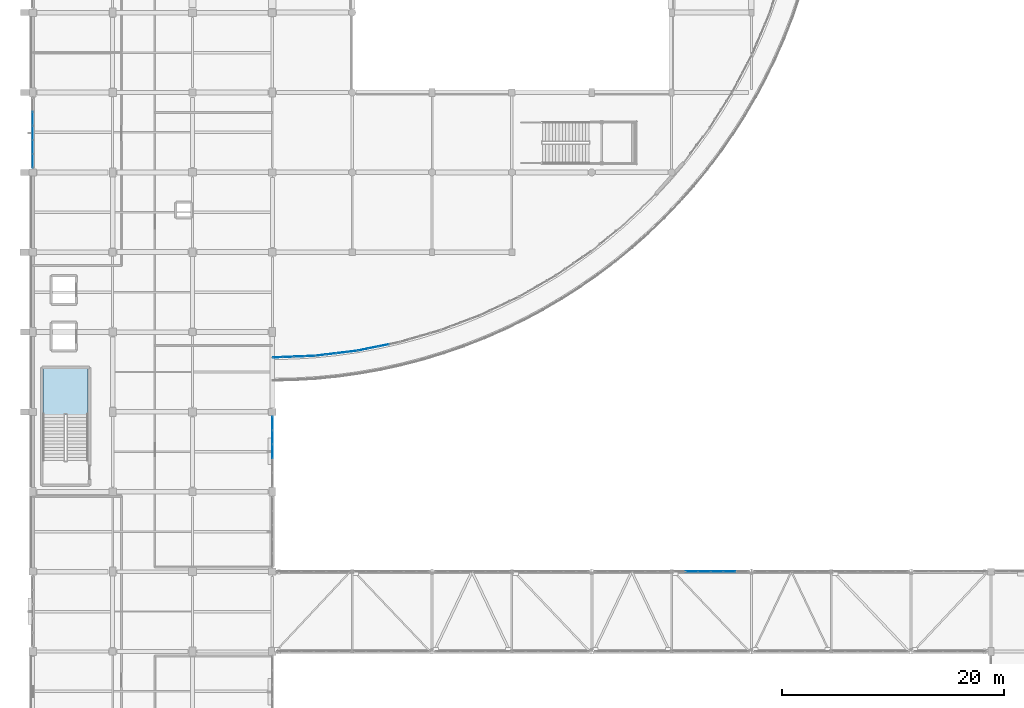
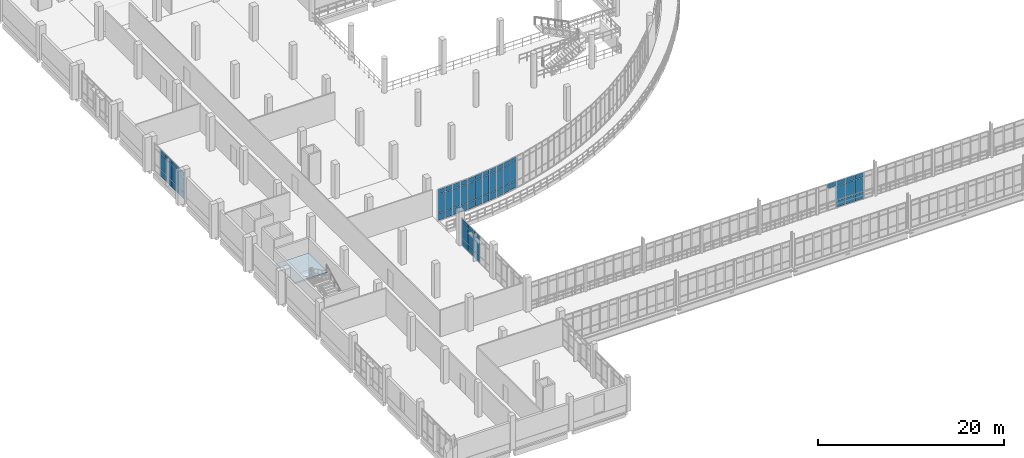
# One storey, part 91 of 124: 64 plates, 1 slab, 7 elements without a shape of their own.
"""IFC4 building model written with IfcOpenShell, lengths in metres."""

from ifc_helpers import new_model, si_unit, direction, frame, origin, origin_2d, place, context, subcontext, project, spatial, polyline, rectangle, outline, extrude, material, layer, layer_set, type_object, element, aggregate, save


model = new_model("IFC4")

# Units and contexts
model_context = context("Model", 3, precision=1e-05, world=origin(), true_north=direction((0.0, 1.0)))
body_context = subcontext(model_context, "Body", "Model", "MODEL_VIEW")
ifc_project = project(units=[si_unit("LENGTHUNIT", "METRE"), si_unit("AREAUNIT", "SQUARE_METRE"), si_unit("VOLUMEUNIT", "CUBIC_METRE"), si_unit("PLANEANGLEUNIT", "RADIAN"), si_unit("MASSUNIT", "GRAM", prefix="KILO")], contexts=[model_context])

# Site, building, storey
site_placement = place(None, origin())
site = spatial("IfcSite", under=ifc_project, at=site_placement, CompositionType="ELEMENT")
building_placement = place(site_placement, origin())
building = spatial("IfcBuilding", under=site, at=building_placement, Name="Kalluvel Institute of Natural Sciences", CompositionType="ELEMENT")
storey_placement = place(building_placement, frame((0.0, 0.0, 9.89990234375)))
storey = spatial("IfcBuildingStorey", under=building, at=storey_placement, Name="L02", CompositionType="ELEMENT", Elevation=9.89990234375)

# Curtain wall, plates
ifc_material_1 = material(Name="Aluminium AW-6063 T6", Category="aluminium")
curtain_wall_type_1 = type_object("IfcCurtainWallType", Name="CW-DRY-45", PredefinedType="USERDEFINED", material=ifc_material_1)
curtain_wall_1_placement = place(storey_placement, origin())
curtain_wall_1 = element("IfcCurtainWall", 1, at=curtain_wall_1_placement, inside=storey, type_object=curtain_wall_type_1, Name="L02 Gothic lancet curtain wall CWA-L02-X140-Y720", ObjectType="UNITISED LANCET FACADE", PredefinedType="USERDEFINED")
ifc_material_2 = material(Name="Solar-Control Low-E Laminated Glass", Category="glass")
ifc_layer_1 = layer(ifc_material_2, 0.028076171875)
ifc_layer_set_1 = layer_set([ifc_layer_1], Name="Solar-Control Low-E Laminated Glass")
plate_type_1 = type_object("IfcPlateType", Name="CWP-DGU-28", PredefinedType="CURTAIN_PANEL", material=ifc_layer_set_1)
plate_1_placement = place(storey_placement, frame((14.0, 72.62744140625, 0.06005859375), z_axis=(0.0, 0.0, 1.0), x_axis=(0.0, 1.0, 0.0)))
plate_1 = element("IfcPlate", 2, at=plate_1_placement, type_object=plate_type_1, Name="CW-03 panel 1.1", PredefinedType="CURTAIN_PANEL", context=body_context, shape_type="SweptSolid", body=[
    extrude(rectangle(XDim=1.18505859375, YDim=0.028076171875, at=origin_2d()), origin(), (0.0, 0.0, 1.0), 0.860107421875),
])
plate_2_placement = place(storey_placement, frame((14.0, 72.62744140625, 0.980224609375), z_axis=(0.0, 0.0, 1.0), x_axis=(0.0, 1.0, 0.0)))
plate_2 = element("IfcPlate", 3, at=plate_2_placement, type_object=plate_type_1, Name="CW-03 panel 1.2", PredefinedType="CURTAIN_PANEL", context=body_context, shape_type="SweptSolid", body=[
    extrude(rectangle(XDim=1.18505859375, YDim=0.028076171875, at=origin_2d()), origin(), (0.0, 0.0, 1.0), 1.9599609375),
])
plate_3_placement = place(storey_placement, frame((14.0, 72.62744140625, 3.0), z_axis=(0.0, 0.0, 1.0), x_axis=(0.0, 1.0, 0.0)))
plate_3 = element("IfcPlate", 4, at=plate_3_placement, type_object=plate_type_1, Name="CW-03 panel 1.3", PredefinedType="CURTAIN_PANEL", context=body_context, shape_type="SweptSolid", body=[
    extrude(rectangle(XDim=1.18505859375, YDim=0.028076171875, at=origin_2d()), origin(), (0.0, 0.0, 1.0), 0.56005859375),
])
plate_4_placement = place(storey_placement, frame((14.0, 73.887451171875, 0.06005859375), z_axis=(0.0, 0.0, 1.0), x_axis=(0.0, 1.0, 0.0)))
plate_4 = element("IfcPlate", 5, at=plate_4_placement, type_object=plate_type_1, Name="CW-03 panel 2.1", PredefinedType="CURTAIN_PANEL", context=body_context, shape_type="SweptSolid", body=[
    extrude(rectangle(XDim=1.215087890625, YDim=0.028076171875, at=origin_2d()), origin(), (0.0, 0.0, 1.0), 0.860107421875),
])
plate_5_placement = place(storey_placement, frame((14.0, 73.887451171875, 0.980224609375), z_axis=(0.0, 0.0, 1.0), x_axis=(0.0, 1.0, 0.0)))
plate_5 = element("IfcPlate", 6, at=plate_5_placement, type_object=plate_type_1, Name="CW-03 panel 2.2", PredefinedType="CURTAIN_PANEL", context=body_context, shape_type="SweptSolid", body=[
    extrude(rectangle(XDim=1.215087890625, YDim=0.028076171875, at=origin_2d()), origin(), (0.0, 0.0, 1.0), 1.9599609375),
])
plate_6_placement = place(storey_placement, frame((14.0, 73.887451171875, 3.0), z_axis=(0.0, 0.0, 1.0), x_axis=(0.0, 1.0, 0.0)))
plate_6 = element("IfcPlate", 7, at=plate_6_placement, type_object=plate_type_1, Name="CW-03 panel 2.3", PredefinedType="CURTAIN_PANEL", context=body_context, shape_type="SweptSolid", body=[
    extrude(rectangle(XDim=1.215087890625, YDim=0.028076171875, at=origin_2d()), origin(), (0.0, 0.0, 1.0), 0.56005859375),
])
plate_7_placement = place(storey_placement, frame((14.0, 75.16259765625, 0.06005859375), z_axis=(0.0, 0.0, 1.0), x_axis=(0.0, 1.0, 0.0)))
plate_7 = element("IfcPlate", 8, at=plate_7_placement, type_object=plate_type_1, Name="CW-03 panel 3.1", PredefinedType="CURTAIN_PANEL", context=body_context, shape_type="SweptSolid", body=[
    extrude(rectangle(XDim=1.215087890625, YDim=0.028076171875, at=origin_2d()), origin(), (0.0, 0.0, 1.0), 0.860107421875),
])
plate_8_placement = place(storey_placement, frame((14.0, 75.16259765625, 0.980224609375), z_axis=(0.0, 0.0, 1.0), x_axis=(0.0, 1.0, 0.0)))
plate_8 = element("IfcPlate", 9, at=plate_8_placement, type_object=plate_type_1, Name="CW-03 panel 3.2", PredefinedType="CURTAIN_PANEL", context=body_context, shape_type="SweptSolid", body=[
    extrude(rectangle(XDim=1.215087890625, YDim=0.028076171875, at=origin_2d()), origin(), (0.0, 0.0, 1.0), 1.9599609375),
])
plate_9_placement = place(storey_placement, frame((14.0, 75.16259765625, 3.0), z_axis=(0.0, 0.0, 1.0), x_axis=(0.0, 1.0, 0.0)))
plate_9 = element("IfcPlate", 10, at=plate_9_placement, type_object=plate_type_1, Name="CW-03 panel 3.3", PredefinedType="CURTAIN_PANEL", context=body_context, shape_type="SweptSolid", body=[
    extrude(rectangle(XDim=1.215087890625, YDim=0.028076171875, at=origin_2d()), origin(), (0.0, 0.0, 1.0), 0.56005859375),
])
plate_10_placement = place(storey_placement, frame((14.0, 76.4375, 0.06005859375), z_axis=(0.0, 0.0, 1.0), x_axis=(0.0, 1.0, 0.0)))
plate_10 = element("IfcPlate", 11, at=plate_10_placement, type_object=plate_type_1, Name="CW-03 panel 4.1", PredefinedType="CURTAIN_PANEL", context=body_context, shape_type="SweptSolid", body=[
    extrude(rectangle(XDim=1.215087890625, YDim=0.028076171875, at=origin_2d()), origin(), (0.0, 0.0, 1.0), 0.860107421875),
])
plate_11_placement = place(storey_placement, frame((14.0, 76.4375, 0.980224609375), z_axis=(0.0, 0.0, 1.0), x_axis=(0.0, 1.0, 0.0)))
plate_11 = element("IfcPlate", 12, at=plate_11_placement, type_object=plate_type_1, Name="CW-03 panel 4.2", PredefinedType="CURTAIN_PANEL", context=body_context, shape_type="SweptSolid", body=[
    extrude(rectangle(XDim=1.215087890625, YDim=0.028076171875, at=origin_2d()), origin(), (0.0, 0.0, 1.0), 1.9599609375),
])
plate_12_placement = place(storey_placement, frame((14.0, 76.4375, 3.0), z_axis=(0.0, 0.0, 1.0), x_axis=(0.0, 1.0, 0.0)))
plate_12 = element("IfcPlate", 13, at=plate_12_placement, type_object=plate_type_1, Name="CW-03 panel 4.3", PredefinedType="CURTAIN_PANEL", context=body_context, shape_type="SweptSolid", body=[
    extrude(rectangle(XDim=1.215087890625, YDim=0.028076171875, at=origin_2d()), origin(), (0.0, 0.0, 1.0), 0.56005859375),
])
aggregate(curtain_wall_1, [plate_1, plate_2, plate_3, plate_4, plate_5, plate_6, plate_7, plate_8, plate_9, plate_10, plate_11, plate_12])

curtain_wall_2_placement = place(storey_placement, origin())
curtain_wall_2 = element("IfcCurtainWall", 14, at=curtain_wall_2_placement, inside=storey, type_object=curtain_wall_type_1, Name="L02 Gothic lancet curtain wall CWA-L02-X356-Y432", ObjectType="UNITISED LANCET FACADE", PredefinedType="USERDEFINED")
plate_13_placement = place(storey_placement, frame((35.60009765625, 46.4375, 0.06005859375), z_axis=(0.0, 0.0, 1.0), x_axis=(0.0, 1.0, 0.0)))
plate_13 = element("IfcPlate", 15, at=plate_13_placement, type_object=plate_type_1, Name="CW-03 panel 3.1", PredefinedType="CURTAIN_PANEL", context=body_context, shape_type="SweptSolid", body=[
    extrude(rectangle(XDim=1.215087890625, YDim=0.028076171875, at=origin_2d()), origin(), (0.0, 0.0, 1.0), 0.860107421875),
])
plate_14_placement = place(storey_placement, frame((35.60009765625, 46.4375, 0.980224609375), z_axis=(0.0, 0.0, 1.0), x_axis=(0.0, 1.0, 0.0)))
plate_14 = element("IfcPlate", 16, at=plate_14_placement, type_object=plate_type_1, Name="CW-03 panel 3.2", PredefinedType="CURTAIN_PANEL", context=body_context, shape_type="SweptSolid", body=[
    extrude(rectangle(XDim=1.215087890625, YDim=0.028076171875, at=origin_2d()), origin(), (0.0, 0.0, 1.0), 1.9599609375),
])
plate_15_placement = place(storey_placement, frame((35.60009765625, 46.4375, 3.0), z_axis=(0.0, 0.0, 1.0), x_axis=(0.0, 1.0, 0.0)))
plate_15 = element("IfcPlate", 17, at=plate_15_placement, type_object=plate_type_1, Name="CW-03 panel 3.3", PredefinedType="CURTAIN_PANEL", context=body_context, shape_type="SweptSolid", body=[
    extrude(rectangle(XDim=1.215087890625, YDim=0.028076171875, at=origin_2d()), origin(), (0.0, 0.0, 1.0), 0.56005859375),
])
plate_16_placement = place(storey_placement, frame((35.60009765625, 47.71240234375, 0.06005859375), z_axis=(0.0, 0.0, 1.0), x_axis=(0.0, 1.0, 0.0)))
plate_16 = element("IfcPlate", 18, at=plate_16_placement, type_object=plate_type_1, Name="CW-03 panel 4.1", PredefinedType="CURTAIN_PANEL", context=body_context, shape_type="SweptSolid", body=[
    extrude(rectangle(XDim=1.215087890625, YDim=0.028076171875, at=origin_2d()), origin(), (0.0, 0.0, 1.0), 0.860107421875),
])
plate_17_placement = place(storey_placement, frame((35.60009765625, 47.71240234375, 0.980224609375), z_axis=(0.0, 0.0, 1.0), x_axis=(0.0, 1.0, 0.0)))
plate_17 = element("IfcPlate", 19, at=plate_17_placement, type_object=plate_type_1, Name="CW-03 panel 4.2", PredefinedType="CURTAIN_PANEL", context=body_context, shape_type="SweptSolid", body=[
    extrude(rectangle(XDim=1.215087890625, YDim=0.028076171875, at=origin_2d()), origin(), (0.0, 0.0, 1.0), 1.9599609375),
])
plate_18_placement = place(storey_placement, frame((35.60009765625, 47.71240234375, 3.0), z_axis=(0.0, 0.0, 1.0), x_axis=(0.0, 1.0, 0.0)))
plate_18 = element("IfcPlate", 20, at=plate_18_placement, type_object=plate_type_1, Name="CW-03 panel 4.3", PredefinedType="CURTAIN_PANEL", context=body_context, shape_type="SweptSolid", body=[
    extrude(rectangle(XDim=1.215087890625, YDim=0.028076171875, at=origin_2d()), origin(), (0.0, 0.0, 1.0), 0.56005859375),
])
plate_19_placement = place(storey_placement, frame((35.60009765625, 48.972412109375, 0.06005859375), z_axis=(0.0, 0.0, 1.0), x_axis=(0.0, 1.0, 0.0)))
plate_19 = element("IfcPlate", 21, at=plate_19_placement, type_object=plate_type_1, Name="CW-03 panel 5.1", PredefinedType="CURTAIN_PANEL", context=body_context, shape_type="SweptSolid", body=[
    extrude(rectangle(XDim=1.18505859375, YDim=0.028076171875, at=origin_2d()), origin(), (0.0, 0.0, 1.0), 0.860107421875),
])
plate_20_placement = place(storey_placement, frame((35.60009765625, 48.972412109375, 0.980224609375), z_axis=(0.0, 0.0, 1.0), x_axis=(0.0, 1.0, 0.0)))
plate_20 = element("IfcPlate", 22, at=plate_20_placement, type_object=plate_type_1, Name="CW-03 panel 5.2", PredefinedType="CURTAIN_PANEL", context=body_context, shape_type="SweptSolid", body=[
    extrude(rectangle(XDim=1.18505859375, YDim=0.028076171875, at=origin_2d()), origin(), (0.0, 0.0, 1.0), 1.9599609375),
])
plate_21_placement = place(storey_placement, frame((35.60009765625, 48.972412109375, 3.0), z_axis=(0.0, 0.0, 1.0), x_axis=(0.0, 1.0, 0.0)))
plate_21 = element("IfcPlate", 23, at=plate_21_placement, type_object=plate_type_1, Name="CW-03 panel 5.3", PredefinedType="CURTAIN_PANEL", context=body_context, shape_type="SweptSolid", body=[
    extrude(rectangle(XDim=1.18505859375, YDim=0.028076171875, at=origin_2d()), origin(), (0.0, 0.0, 1.0), 0.56005859375),
])
aggregate(curtain_wall_2, [plate_13, plate_14, plate_15, plate_16, plate_17, plate_18, plate_19, plate_20, plate_21])

curtain_wall_type_2 = type_object("IfcCurtainWallType", Name="CW-BRG-45", PredefinedType="USERDEFINED", material=ifc_material_1)
curtain_wall_3_placement = place(storey_placement, origin())
curtain_wall_3 = element("IfcCurtainWall", 24, at=curtain_wall_3_placement, inside=storey, type_object=curtain_wall_type_2, Name="L02 Gothic lancet curtain wall CWA-L02-X717-Y356", ObjectType="UNITISED LANCET FACADE", PredefinedType="USERDEFINED")
ifc_layer_2 = layer(ifc_material_2, 0.031982421875)
ifc_layer_set_2 = layer_set([ifc_layer_2], Name="Solar-Control Low-E Laminated Glass")
plate_type_2 = type_object("IfcPlateType", Name="CWP-DGU-32", PredefinedType="CURTAIN_PANEL", material=ifc_layer_set_2)
plate_22_placement = place(storey_placement, frame((73.413818359375, 35.60009765625, 2.920166015625), z_axis=(0.0, 0.0, 1.0), x_axis=(1.0, 0.0, 0.0)))
plate_22 = element("IfcPlate", 25, at=plate_22_placement, type_object=plate_type_2, Name="CW-07 panel 2.3", PredefinedType="CURTAIN_PANEL", context=body_context, shape_type="SweptSolid", body=[
    extrude(rectangle(XDim=1.075927734375, YDim=0.031982421875, at=origin_2d()), origin(), (0.0, 0.0, 1.0), 0.56005859375),
])
plate_23_placement = place(storey_placement, frame((74.549560546875, 35.60009765625, 0.06005859375), z_axis=(0.0, 0.0, 1.0), x_axis=(1.0, 0.0, 0.0)))
plate_23 = element("IfcPlate", 26, at=plate_23_placement, type_object=plate_type_2, Name="CW-07 panel 3.1", PredefinedType="CURTAIN_PANEL", context=body_context, shape_type="SweptSolid", body=[
    extrude(rectangle(XDim=1.075927734375, YDim=0.031982421875, at=origin_2d()), origin(), (0.0, 0.0, 1.0), 0.860107421875),
])
plate_24_placement = place(storey_placement, frame((74.549560546875, 35.60009765625, 0.980224609375), z_axis=(0.0, 0.0, 1.0), x_axis=(1.0, 0.0, 0.0)))
plate_24 = element("IfcPlate", 27, at=plate_24_placement, type_object=plate_type_2, Name="CW-07 panel 3.2", PredefinedType="CURTAIN_PANEL", context=body_context, shape_type="SweptSolid", body=[
    extrude(rectangle(XDim=1.075927734375, YDim=0.031982421875, at=origin_2d()), origin(), (0.0, 0.0, 1.0), 1.8798828125),
])
plate_25_placement = place(storey_placement, frame((74.549560546875, 35.60009765625, 2.920166015625), z_axis=(0.0, 0.0, 1.0), x_axis=(1.0, 0.0, 0.0)))
plate_25 = element("IfcPlate", 28, at=plate_25_placement, type_object=plate_type_2, Name="CW-07 panel 3.3", PredefinedType="CURTAIN_PANEL", context=body_context, shape_type="SweptSolid", body=[
    extrude(rectangle(XDim=1.075927734375, YDim=0.031982421875, at=origin_2d()), origin(), (0.0, 0.0, 1.0), 0.56005859375),
])
plate_26_placement = place(storey_placement, frame((75.685302734375, 35.60009765625, 0.06005859375), z_axis=(0.0, 0.0, 1.0), x_axis=(1.0, 0.0, 0.0)))
plate_26 = element("IfcPlate", 29, at=plate_26_placement, type_object=plate_type_2, Name="CW-07 panel 4.1", PredefinedType="CURTAIN_PANEL", context=body_context, shape_type="SweptSolid", body=[
    extrude(rectangle(XDim=1.075927734375, YDim=0.031982421875, at=origin_2d()), origin(), (0.0, 0.0, 1.0), 0.860107421875),
])
plate_27_placement = place(storey_placement, frame((75.685302734375, 35.60009765625, 0.980224609375), z_axis=(0.0, 0.0, 1.0), x_axis=(1.0, 0.0, 0.0)))
plate_27 = element("IfcPlate", 30, at=plate_27_placement, type_object=plate_type_2, Name="CW-07 panel 4.2", PredefinedType="CURTAIN_PANEL", context=body_context, shape_type="SweptSolid", body=[
    extrude(rectangle(XDim=1.075927734375, YDim=0.031982421875, at=origin_2d()), origin(), (0.0, 0.0, 1.0), 1.8798828125),
])
plate_28_placement = place(storey_placement, frame((75.685302734375, 35.60009765625, 2.920166015625), z_axis=(0.0, 0.0, 1.0), x_axis=(1.0, 0.0, 0.0)))
plate_28 = element("IfcPlate", 31, at=plate_28_placement, type_object=plate_type_2, Name="CW-07 panel 4.3", PredefinedType="CURTAIN_PANEL", context=body_context, shape_type="SweptSolid", body=[
    extrude(rectangle(XDim=1.075927734375, YDim=0.031982421875, at=origin_2d()), origin(), (0.0, 0.0, 1.0), 0.56005859375),
])
plate_29_placement = place(storey_placement, frame((76.8212890625, 35.60009765625, 0.06005859375), z_axis=(0.0, 0.0, 1.0), x_axis=(1.0, 0.0, 0.0)))
plate_29 = element("IfcPlate", 32, at=plate_29_placement, type_object=plate_type_2, Name="CW-07 panel 5.1", PredefinedType="CURTAIN_PANEL", context=body_context, shape_type="SweptSolid", body=[
    extrude(rectangle(XDim=1.075927734375, YDim=0.031982421875, at=origin_2d()), origin(), (0.0, 0.0, 1.0), 0.860107421875),
])
plate_30_placement = place(storey_placement, frame((76.8212890625, 35.60009765625, 0.980224609375), z_axis=(0.0, 0.0, 1.0), x_axis=(1.0, 0.0, 0.0)))
plate_30 = element("IfcPlate", 33, at=plate_30_placement, type_object=plate_type_2, Name="CW-07 panel 5.2", PredefinedType="CURTAIN_PANEL", context=body_context, shape_type="SweptSolid", body=[
    extrude(rectangle(XDim=1.075927734375, YDim=0.031982421875, at=origin_2d()), origin(), (0.0, 0.0, 1.0), 1.8798828125),
])
plate_31_placement = place(storey_placement, frame((76.8212890625, 35.60009765625, 2.920166015625), z_axis=(0.0, 0.0, 1.0), x_axis=(1.0, 0.0, 0.0)))
plate_31 = element("IfcPlate", 34, at=plate_31_placement, type_object=plate_type_2, Name="CW-07 panel 5.3", PredefinedType="CURTAIN_PANEL", context=body_context, shape_type="SweptSolid", body=[
    extrude(rectangle(XDim=1.075927734375, YDim=0.031982421875, at=origin_2d()), origin(), (0.0, 0.0, 1.0), 0.56005859375),
])
aggregate(curtain_wall_3, [plate_22, plate_23, plate_24, plate_25, plate_26, plate_27, plate_28, plate_29, plate_30, plate_31])

curtain_wall_type_3 = type_object("IfcCurtainWallType", Name="CW-ATR-ARC", PredefinedType="USERDEFINED", material=ifc_material_1)
curtain_wall_4_placement = place(storey_placement, origin())
curtain_wall_4 = element("IfcCurtainWall", 35, at=curtain_wall_4_placement, inside=storey, type_object=curtain_wall_type_3, Name="L02 Gothic lancet curtain wall CWA-L02-X356-Y549", ObjectType="UNITISED LANCET FACADE", PredefinedType="USERDEFINED")
ifc_layer_3 = layer(ifc_material_2, 0.035888671875)
ifc_layer_set_3 = layer_set([ifc_layer_3], Name="Solar-Control Low-E Laminated Glass")
plate_type_3 = type_object("IfcPlateType", Name="CWP-DGU-36", PredefinedType="CURTAIN_PANEL", material=ifc_layer_set_3)
plate_32_placement = place(storey_placement, frame((36.0966796875, 54.919921875, 0.06005859375), z_axis=(0.0, 0.0, 1.0), x_axis=(0.999189237839, 0.040259992374, 0.0)))
plate_32 = element("IfcPlate", 36, at=plate_32_placement, type_object=plate_type_3, Name="CW-05 panel 1.1", PredefinedType="CURTAIN_PANEL", context=body_context, shape_type="SweptSolid", body=[
    extrude(rectangle(XDim=0.874267578125, YDim=0.035888671875, at=origin_2d()), origin(), (0.0, 0.0, 1.0), 0.860107421875),
])
plate_33_placement = place(storey_placement, frame((36.0966796875, 54.919921875, 0.97998046875), z_axis=(0.0, 0.0, 1.0), x_axis=(0.999189237839, 0.040259992374, 0.0)))
plate_33 = element("IfcPlate", 37, at=plate_33_placement, type_object=plate_type_3, Name="CW-05 panel 1.2", PredefinedType="CURTAIN_PANEL", context=body_context, shape_type="SweptSolid", body=[
    extrude(rectangle(XDim=0.874267578125, YDim=0.035888671875, at=origin_2d()), origin(), (0.0, 0.0, 1.0), 2.489990234375),
])
plate_34_placement = place(storey_placement, frame((36.0966796875, 54.919921875, 3.530029296875), z_axis=(0.0, 0.0, 1.0), x_axis=(0.999189237839, 0.040259992374, 0.0)))
plate_34 = element("IfcPlate", 38, at=plate_34_placement, type_object=plate_type_3, Name="CW-05 panel 1.3", PredefinedType="CURTAIN_PANEL", context=body_context, shape_type="SweptSolid", body=[
    extrude(rectangle(XDim=0.874267578125, YDim=0.035888671875, at=origin_2d()), origin(), (0.0, 0.0, 1.0), 0.56005859375),
])
plate_35_placement = place(storey_placement, frame((37.04541015625, 54.958251953125, 0.06005859375), z_axis=(0.0, 0.0, 1.0), x_axis=(0.999189237839, 0.040259992374, 0.0)))
plate_35 = element("IfcPlate", 39, at=plate_35_placement, type_object=plate_type_3, Name="CW-05 panel 2.1", PredefinedType="CURTAIN_PANEL", context=body_context, shape_type="SweptSolid", body=[
    extrude(rectangle(XDim=0.904296875, YDim=0.035888671875, at=origin_2d()), origin(), (0.0, 0.0, 1.0), 0.860107421875),
])
plate_36_placement = place(storey_placement, frame((37.04541015625, 54.958251953125, 0.97998046875), z_axis=(0.0, 0.0, 1.0), x_axis=(0.999189237839, 0.040259992374, 0.0)))
plate_36 = element("IfcPlate", 40, at=plate_36_placement, type_object=plate_type_3, Name="CW-05 panel 2.2", PredefinedType="CURTAIN_PANEL", context=body_context, shape_type="SweptSolid", body=[
    extrude(rectangle(XDim=0.904296875, YDim=0.035888671875, at=origin_2d()), origin(), (0.0, 0.0, 1.0), 2.489990234375),
])
plate_37_placement = place(storey_placement, frame((37.04541015625, 54.958251953125, 3.530029296875), z_axis=(0.0, 0.0, 1.0), x_axis=(0.999189237839, 0.040259992374, 0.0)))
plate_37 = element("IfcPlate", 41, at=plate_37_placement, type_object=plate_type_3, Name="CW-05 panel 2.3", PredefinedType="CURTAIN_PANEL", context=body_context, shape_type="SweptSolid", body=[
    extrude(rectangle(XDim=0.904296875, YDim=0.035888671875, at=origin_2d()), origin(), (0.0, 0.0, 1.0), 0.56005859375),
])
plate_38_placement = place(storey_placement, frame((38.009033203125, 54.9970703125, 0.06005859375), z_axis=(0.0, 0.0, 1.0), x_axis=(0.999189237839, 0.040259992374, 0.0)))
plate_38 = element("IfcPlate", 42, at=plate_38_placement, type_object=plate_type_3, Name="CW-05 panel 3.1", PredefinedType="CURTAIN_PANEL", context=body_context, shape_type="SweptSolid", body=[
    extrude(rectangle(XDim=0.904296875, YDim=0.035888671875, at=origin_2d()), origin(), (0.0, 0.0, 1.0), 0.860107421875),
])
plate_39_placement = place(storey_placement, frame((38.009033203125, 54.9970703125, 0.97998046875), z_axis=(0.0, 0.0, 1.0), x_axis=(0.999189237839, 0.040259992374, 0.0)))
plate_39 = element("IfcPlate", 43, at=plate_39_placement, type_object=plate_type_3, Name="CW-05 panel 3.2", PredefinedType="CURTAIN_PANEL", context=body_context, shape_type="SweptSolid", body=[
    extrude(rectangle(XDim=0.904296875, YDim=0.035888671875, at=origin_2d()), origin(), (0.0, 0.0, 1.0), 2.489990234375),
])
plate_40_placement = place(storey_placement, frame((38.009033203125, 54.9970703125, 3.530029296875), z_axis=(0.0, 0.0, 1.0), x_axis=(0.999189237839, 0.040259992374, 0.0)))
plate_40 = element("IfcPlate", 44, at=plate_40_placement, type_object=plate_type_3, Name="CW-05 panel 3.3", PredefinedType="CURTAIN_PANEL", context=body_context, shape_type="SweptSolid", body=[
    extrude(rectangle(XDim=0.904296875, YDim=0.035888671875, at=origin_2d()), origin(), (0.0, 0.0, 1.0), 0.56005859375),
])
plate_41_placement = place(storey_placement, frame((38.95751953125, 55.035400390625, 0.06005859375), z_axis=(0.0, 0.0, 1.0), x_axis=(0.999189237839, 0.040259992374, 0.0)))
plate_41 = element("IfcPlate", 45, at=plate_41_placement, type_object=plate_type_3, Name="CW-05 panel 4.1", PredefinedType="CURTAIN_PANEL", context=body_context, shape_type="SweptSolid", body=[
    extrude(rectangle(XDim=0.874267578125, YDim=0.035888671875, at=origin_2d()), origin(), (0.0, 0.0, 1.0), 0.860107421875),
])
plate_42_placement = place(storey_placement, frame((38.95751953125, 55.035400390625, 0.97998046875), z_axis=(0.0, 0.0, 1.0), x_axis=(0.999189237839, 0.040259992374, 0.0)))
plate_42 = element("IfcPlate", 46, at=plate_42_placement, type_object=plate_type_3, Name="CW-05 panel 4.2", PredefinedType="CURTAIN_PANEL", context=body_context, shape_type="SweptSolid", body=[
    extrude(rectangle(XDim=0.874267578125, YDim=0.035888671875, at=origin_2d()), origin(), (0.0, 0.0, 1.0), 2.489990234375),
])
plate_43_placement = place(storey_placement, frame((38.95751953125, 55.035400390625, 3.530029296875), z_axis=(0.0, 0.0, 1.0), x_axis=(0.999189237839, 0.040259992374, 0.0)))
plate_43 = element("IfcPlate", 47, at=plate_43_placement, type_object=plate_type_3, Name="CW-05 panel 4.3", PredefinedType="CURTAIN_PANEL", context=body_context, shape_type="SweptSolid", body=[
    extrude(rectangle(XDim=0.874267578125, YDim=0.035888671875, at=origin_2d()), origin(), (0.0, 0.0, 1.0), 0.56005859375),
])
aggregate(curtain_wall_4, [plate_32, plate_33, plate_34, plate_35, plate_36, plate_37, plate_38, plate_39, plate_40, plate_41, plate_42, plate_43])

curtain_wall_5_placement = place(storey_placement, origin())
curtain_wall_5 = element("IfcCurtainWall", 48, at=curtain_wall_5_placement, inside=storey, type_object=curtain_wall_type_3, Name="L02 Gothic lancet curtain wall CWA-L02-X395-Y551", ObjectType="UNITISED LANCET FACADE", PredefinedType="USERDEFINED")
plate_44_placement = place(storey_placement, frame((39.94775390625, 55.115234375, 0.06005859375), z_axis=(0.0, 0.0, 1.0), x_axis=(0.992708047179, 0.120543490354, 0.0)))
plate_44 = element("IfcPlate", 49, at=plate_44_placement, type_object=plate_type_3, Name="CW-05 panel 1.1", PredefinedType="CURTAIN_PANEL", context=body_context, shape_type="SweptSolid", body=[
    extrude(rectangle(XDim=0.874267578125, YDim=0.035888671875, at=origin_2d()), origin(), (0.0, 0.0, 1.0), 0.860107421875),
])
plate_45_placement = place(storey_placement, frame((39.94775390625, 55.115234375, 0.97998046875), z_axis=(0.0, 0.0, 1.0), x_axis=(0.992708047179, 0.120543490354, 0.0)))
plate_45 = element("IfcPlate", 50, at=plate_45_placement, type_object=plate_type_3, Name="CW-05 panel 1.2", PredefinedType="CURTAIN_PANEL", context=body_context, shape_type="SweptSolid", body=[
    extrude(rectangle(XDim=0.874267578125, YDim=0.035888671875, at=origin_2d()), origin(), (0.0, 0.0, 1.0), 2.489990234375),
])
plate_46_placement = place(storey_placement, frame((39.94775390625, 55.115234375, 3.530029296875), z_axis=(0.0, 0.0, 1.0), x_axis=(0.992708047179, 0.120543490354, 0.0)))
plate_46 = element("IfcPlate", 51, at=plate_46_placement, type_object=plate_type_3, Name="CW-05 panel 1.3", PredefinedType="CURTAIN_PANEL", context=body_context, shape_type="SweptSolid", body=[
    extrude(rectangle(XDim=0.874267578125, YDim=0.035888671875, at=origin_2d()), origin(), (0.0, 0.0, 1.0), 0.56005859375),
])
plate_47_placement = place(storey_placement, frame((40.890380859375, 55.229736328125, 0.06005859375), z_axis=(0.0, 0.0, 1.0), x_axis=(0.992708047179, 0.120543490354, 0.0)))
plate_47 = element("IfcPlate", 52, at=plate_47_placement, type_object=plate_type_3, Name="CW-05 panel 2.1", PredefinedType="CURTAIN_PANEL", context=body_context, shape_type="SweptSolid", body=[
    extrude(rectangle(XDim=0.904296875, YDim=0.035888671875, at=origin_2d()), origin(), (0.0, 0.0, 1.0), 0.860107421875),
])
plate_48_placement = place(storey_placement, frame((40.890380859375, 55.229736328125, 0.97998046875), z_axis=(0.0, 0.0, 1.0), x_axis=(0.992708047179, 0.120543490354, 0.0)))
plate_48 = element("IfcPlate", 53, at=plate_48_placement, type_object=plate_type_3, Name="CW-05 panel 2.2", PredefinedType="CURTAIN_PANEL", context=body_context, shape_type="SweptSolid", body=[
    extrude(rectangle(XDim=0.904296875, YDim=0.035888671875, at=origin_2d()), origin(), (0.0, 0.0, 1.0), 2.489990234375),
])
plate_49_placement = place(storey_placement, frame((40.890380859375, 55.229736328125, 3.530029296875), z_axis=(0.0, 0.0, 1.0), x_axis=(0.992708047179, 0.120543490354, 0.0)))
plate_49 = element("IfcPlate", 54, at=plate_49_placement, type_object=plate_type_3, Name="CW-05 panel 2.3", PredefinedType="CURTAIN_PANEL", context=body_context, shape_type="SweptSolid", body=[
    extrude(rectangle(XDim=0.904296875, YDim=0.035888671875, at=origin_2d()), origin(), (0.0, 0.0, 1.0), 0.56005859375),
])
plate_50_placement = place(storey_placement, frame((41.84765625, 55.345947265625, 0.06005859375), z_axis=(0.0, 0.0, 1.0), x_axis=(0.992708047179, 0.120543490354, 0.0)))
plate_50 = element("IfcPlate", 55, at=plate_50_placement, type_object=plate_type_3, Name="CW-05 panel 3.1", PredefinedType="CURTAIN_PANEL", context=body_context, shape_type="SweptSolid", body=[
    extrude(rectangle(XDim=0.904296875, YDim=0.035888671875, at=origin_2d()), origin(), (0.0, 0.0, 1.0), 0.860107421875),
])
plate_51_placement = place(storey_placement, frame((41.84765625, 55.345947265625, 0.97998046875), z_axis=(0.0, 0.0, 1.0), x_axis=(0.992708047179, 0.120543490354, 0.0)))
plate_51 = element("IfcPlate", 56, at=plate_51_placement, type_object=plate_type_3, Name="CW-05 panel 3.2", PredefinedType="CURTAIN_PANEL", context=body_context, shape_type="SweptSolid", body=[
    extrude(rectangle(XDim=0.904296875, YDim=0.035888671875, at=origin_2d()), origin(), (0.0, 0.0, 1.0), 2.489990234375),
])
plate_52_placement = place(storey_placement, frame((41.84765625, 55.345947265625, 3.530029296875), z_axis=(0.0, 0.0, 1.0), x_axis=(0.992708047179, 0.120543490354, 0.0)))
plate_52 = element("IfcPlate", 57, at=plate_52_placement, type_object=plate_type_3, Name="CW-05 panel 3.3", PredefinedType="CURTAIN_PANEL", context=body_context, shape_type="SweptSolid", body=[
    extrude(rectangle(XDim=0.904296875, YDim=0.035888671875, at=origin_2d()), origin(), (0.0, 0.0, 1.0), 0.56005859375),
])
plate_53_placement = place(storey_placement, frame((42.7900390625, 55.46044921875, 0.06005859375), z_axis=(0.0, 0.0, 1.0), x_axis=(0.992708047179, 0.120543490354, 0.0)))
plate_53 = element("IfcPlate", 58, at=plate_53_placement, type_object=plate_type_3, Name="CW-05 panel 4.1", PredefinedType="CURTAIN_PANEL", context=body_context, shape_type="SweptSolid", body=[
    extrude(rectangle(XDim=0.874267578125, YDim=0.035888671875, at=origin_2d()), origin(), (0.0, 0.0, 1.0), 0.860107421875),
])
plate_54_placement = place(storey_placement, frame((42.7900390625, 55.46044921875, 0.97998046875), z_axis=(0.0, 0.0, 1.0), x_axis=(0.992708047179, 0.120543490354, 0.0)))
plate_54 = element("IfcPlate", 59, at=plate_54_placement, type_object=plate_type_3, Name="CW-05 panel 4.2", PredefinedType="CURTAIN_PANEL", context=body_context, shape_type="SweptSolid", body=[
    extrude(rectangle(XDim=0.874267578125, YDim=0.035888671875, at=origin_2d()), origin(), (0.0, 0.0, 1.0), 2.489990234375),
])
plate_55_placement = place(storey_placement, frame((42.7900390625, 55.46044921875, 3.530029296875), z_axis=(0.0, 0.0, 1.0), x_axis=(0.992708047179, 0.120543490354, 0.0)))
plate_55 = element("IfcPlate", 60, at=plate_55_placement, type_object=plate_type_3, Name="CW-05 panel 4.3", PredefinedType="CURTAIN_PANEL", context=body_context, shape_type="SweptSolid", body=[
    extrude(rectangle(XDim=0.874267578125, YDim=0.035888671875, at=origin_2d()), origin(), (0.0, 0.0, 1.0), 0.56005859375),
])
aggregate(curtain_wall_5, [plate_44, plate_45, plate_46, plate_47, plate_48, plate_49, plate_50, plate_51, plate_52, plate_53, plate_54, plate_55])

curtain_wall_6_placement = place(storey_placement, origin())
curtain_wall_6 = element("IfcCurtainWall", 61, at=curtain_wall_6_placement, inside=storey, type_object=curtain_wall_type_3, Name="L02 Gothic lancet curtain wall CWA-L02-X433-Y555", ObjectType="UNITISED LANCET FACADE", PredefinedType="USERDEFINED")
plate_56_placement = place(storey_placement, frame((43.770751953125, 55.61962890625, 0.06005859375), z_axis=(0.0, 0.0, 1.0), x_axis=(0.979790166812, 0.200028070576, 0.0)))
plate_56 = element("IfcPlate", 62, at=plate_56_placement, type_object=plate_type_3, Name="CW-05 panel 1.1", PredefinedType="CURTAIN_PANEL", context=body_context, shape_type="SweptSolid", body=[
    extrude(rectangle(XDim=0.874267578125, YDim=0.035888671875, at=origin_2d()), origin(), (0.0, 0.0, 1.0), 0.860107421875),
])
plate_57_placement = place(storey_placement, frame((43.770751953125, 55.61962890625, 0.97998046875), z_axis=(0.0, 0.0, 1.0), x_axis=(0.979790166812, 0.200028070576, 0.0)))
plate_57 = element("IfcPlate", 63, at=plate_57_placement, type_object=plate_type_3, Name="CW-05 panel 1.2", PredefinedType="CURTAIN_PANEL", context=body_context, shape_type="SweptSolid", body=[
    extrude(rectangle(XDim=0.874267578125, YDim=0.035888671875, at=origin_2d()), origin(), (0.0, 0.0, 1.0), 2.489990234375),
])
plate_58_placement = place(storey_placement, frame((43.770751953125, 55.61962890625, 3.530029296875), z_axis=(0.0, 0.0, 1.0), x_axis=(0.979790166812, 0.200028070576, 0.0)))
plate_58 = element("IfcPlate", 64, at=plate_58_placement, type_object=plate_type_3, Name="CW-05 panel 1.3", PredefinedType="CURTAIN_PANEL", context=body_context, shape_type="SweptSolid", body=[
    extrude(rectangle(XDim=0.874267578125, YDim=0.035888671875, at=origin_2d()), origin(), (0.0, 0.0, 1.0), 0.56005859375),
])
plate_59_placement = place(storey_placement, frame((44.700927734375, 55.8095703125, 0.06005859375), z_axis=(0.0, 0.0, 1.0), x_axis=(0.979790166812, 0.200028070576, 0.0)))
plate_59 = element("IfcPlate", 65, at=plate_59_placement, type_object=plate_type_3, Name="CW-05 panel 2.1", PredefinedType="CURTAIN_PANEL", context=body_context, shape_type="SweptSolid", body=[
    extrude(rectangle(XDim=0.904296875, YDim=0.035888671875, at=origin_2d()), origin(), (0.0, 0.0, 1.0), 0.860107421875),
])
plate_60_placement = place(storey_placement, frame((44.700927734375, 55.8095703125, 0.97998046875), z_axis=(0.0, 0.0, 1.0), x_axis=(0.979790166812, 0.200028070576, 0.0)))
plate_60 = element("IfcPlate", 66, at=plate_60_placement, type_object=plate_type_3, Name="CW-05 panel 2.2", PredefinedType="CURTAIN_PANEL", context=body_context, shape_type="SweptSolid", body=[
    extrude(rectangle(XDim=0.904296875, YDim=0.035888671875, at=origin_2d()), origin(), (0.0, 0.0, 1.0), 2.489990234375),
])
plate_61_placement = place(storey_placement, frame((44.700927734375, 55.8095703125, 3.530029296875), z_axis=(0.0, 0.0, 1.0), x_axis=(0.979790166812, 0.200028070576, 0.0)))
plate_61 = element("IfcPlate", 67, at=plate_61_placement, type_object=plate_type_3, Name="CW-05 panel 2.3", PredefinedType="CURTAIN_PANEL", context=body_context, shape_type="SweptSolid", body=[
    extrude(rectangle(XDim=0.904296875, YDim=0.035888671875, at=origin_2d()), origin(), (0.0, 0.0, 1.0), 0.56005859375),
])
plate_62_placement = place(storey_placement, frame((45.64599609375, 56.00244140625, 0.06005859375), z_axis=(0.0, 0.0, 1.0), x_axis=(0.979790166812, 0.200028070576, 0.0)))
plate_62 = element("IfcPlate", 68, at=plate_62_placement, type_object=plate_type_3, Name="CW-05 panel 3.1", PredefinedType="CURTAIN_PANEL", context=body_context, shape_type="SweptSolid", body=[
    extrude(rectangle(XDim=0.904296875, YDim=0.035888671875, at=origin_2d()), origin(), (0.0, 0.0, 1.0), 0.860107421875),
])
plate_63_placement = place(storey_placement, frame((45.64599609375, 56.00244140625, 0.97998046875), z_axis=(0.0, 0.0, 1.0), x_axis=(0.979790166812, 0.200028070576, 0.0)))
plate_63 = element("IfcPlate", 69, at=plate_63_placement, type_object=plate_type_3, Name="CW-05 panel 3.2", PredefinedType="CURTAIN_PANEL", context=body_context, shape_type="SweptSolid", body=[
    extrude(rectangle(XDim=0.904296875, YDim=0.035888671875, at=origin_2d()), origin(), (0.0, 0.0, 1.0), 2.489990234375),
])
plate_64_placement = place(storey_placement, frame((45.64599609375, 56.00244140625, 3.530029296875), z_axis=(0.0, 0.0, 1.0), x_axis=(0.979790166812, 0.200028070576, 0.0)))
plate_64 = element("IfcPlate", 70, at=plate_64_placement, type_object=plate_type_3, Name="CW-05 panel 3.3", PredefinedType="CURTAIN_PANEL", context=body_context, shape_type="SweptSolid", body=[
    extrude(rectangle(XDim=0.904296875, YDim=0.035888671875, at=origin_2d()), origin(), (0.0, 0.0, 1.0), 0.56005859375),
])
aggregate(curtain_wall_6, [plate_56, plate_57, plate_58, plate_59, plate_60, plate_61, plate_62, plate_63, plate_64])

# Stair, slab
ifc_material_3 = material(Name="Concrete M40", Category="concrete")
stair_type = type_object("IfcStairType", Name="STR-ST4-45", PredefinedType="HALF_TURN_STAIR", material=ifc_material_3)
stair_placement = place(storey_placement, origin())
stair = element("IfcStair", 71, at=stair_placement, inside=storey, type_object=stair_type, Name="L02 Dry Wing Protected Exit Stair ST4", PredefinedType="HALF_TURN_STAIR")
ifc_layer_4 = layer(ifc_material_3, 0.199951171875)
ifc_layer_set_4 = layer_set([ifc_layer_4], Name="Concrete M40")
slab_type = type_object("IfcSlabType", Name="SLD-ST4", PredefinedType="LANDING", material=ifc_layer_set_4)
slab_placement = place(storey_placement, frame((0.0, 0.0, 2.050048828125)))
slab = element("IfcSlab", 72, at=slab_placement, type_object=slab_type, Name="S4-45 landing 1", PredefinedType="LANDING", context=body_context, shape_type="SweptSolid", body=[
    extrude(outline(polyline([(19.0, 49.781982421875), (19.0, 53.89990234375), (14.929931640625, 53.89990234375), (14.929931640625, 49.781982421875), (19.0, 49.781982421875)])), origin(), (0.0, 0.0, 1.0), 0.199951171875),
])
aggregate(stair, [slab])

save(model, "model.ifc")
